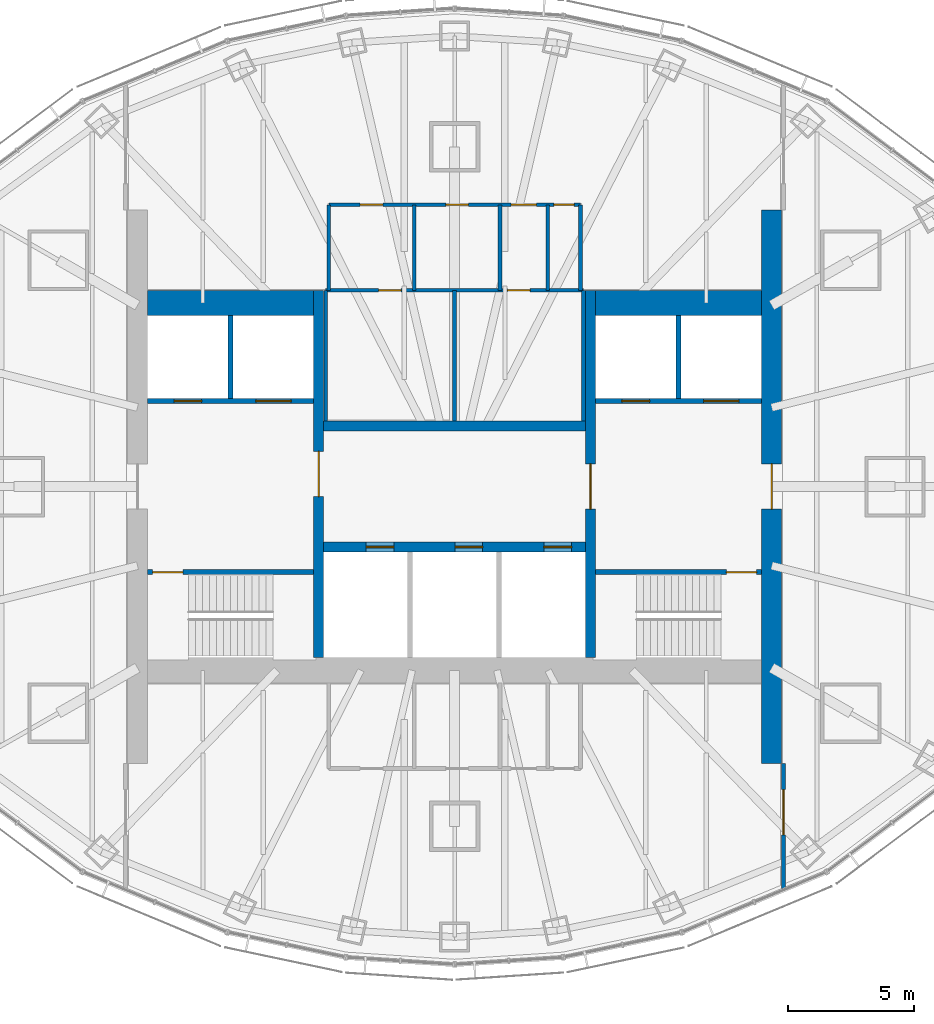
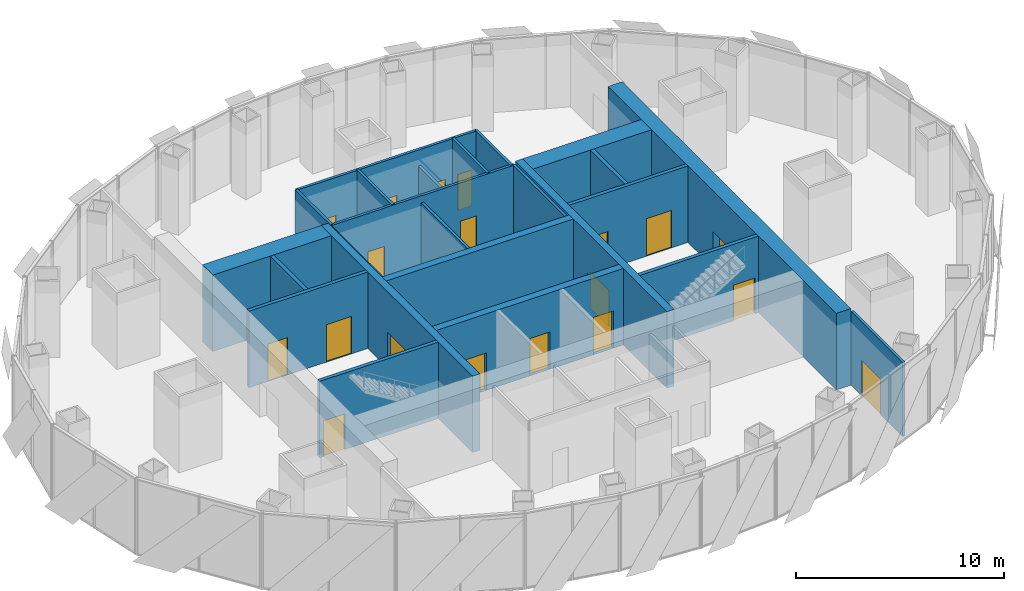
# One storey, part 11 of 15: 24 walls, 19 doors, 19 openings.
"""IFC4 building model written with IfcOpenShell, lengths in metres."""

from ifc_helpers import new_model, si_unit, direction, frame, frame_2d, origin, place, context, subcontext, project, spatial, rectangle, extrude, material, layer, layer_set, type_object, element, fill, save


model = new_model("IFC4")

# Units and contexts
model_context = context("Model", 3, precision=1e-05, world=origin(), true_north=direction((0.0, 1.0)))
body_context = subcontext(model_context, "Body", "Model", "MODEL_VIEW")
ifc_project = project(units=[si_unit("LENGTHUNIT", "METRE"), si_unit("AREAUNIT", "SQUARE_METRE"), si_unit("VOLUMEUNIT", "CUBIC_METRE"), si_unit("PLANEANGLEUNIT", "RADIAN"), si_unit("MASSUNIT", "GRAM", prefix="KILO")], contexts=[model_context])

# Site, building, storey
site_placement = place(None, origin())
site = spatial("IfcSite", under=ifc_project, at=site_placement, CompositionType="ELEMENT")
building_placement = place(site_placement, origin())
building = spatial("IfcBuilding", under=site, at=building_placement, Name="Lantaw Convention Tower", CompositionType="ELEMENT")
storey_placement = place(building_placement, frame((0.0, 0.0, 274.89990234375)))
storey = spatial("IfcBuildingStorey", under=building, at=storey_placement, Name="L64", CompositionType="ELEMENT", Elevation=274.89990234375)

# Wall, openings, doors
ifc_material_1 = material(Name="Gypsum board on steel studs", Category="steel")
ifc_layer_1 = layer(ifc_material_1, 0.14990234375)
ifc_layer_set_1 = layer_set([ifc_layer_1], Name="Back of house wall 150")
wall_type_1 = type_object("IfcWallType", Name="Back of house wall 150", PredefinedType="PARTITIONING", material=ifc_layer_set_1)
wall_1_placement = place(storey_placement, frame((-5.1201171875, 7.800048828125, 0.0), z_axis=(0.0, 0.0, 1.0), x_axis=(1.0, 0.0, 0.0)))
wall_1 = element("IfcWall", 1, at=wall_1_placement, inside=storey, type_object=wall_type_1, Name="Back of house wall 150", PredefinedType="PARTITIONING", context=body_context, shape_type="SweptSolid", body=[
    extrude(rectangle(XDim=10.240234375, YDim=0.14990234375, at=frame_2d((5.1201171875, 0.0))), origin(), (0.0, 0.0, 1.0), 4.35009765625),
])
opening_1_placement = place(wall_1_placement, frame((2.10009765625, 0.0, 0.0)))
opening_1 = element("IfcOpeningElement", 2, at=opening_1_placement, cuts=wall_1, Name="Opening L64.22", PredefinedType="OPENING", context=body_context, shape_type="SweptSolid", body=[
    extrude(rectangle(XDim=0.89990234375, YDim=2.10009765625, at=frame_2d((0.449951171875, 1.050048828125))), frame((0.0, 0.0849609375, 0.0), z_axis=(0.0, -1.0, 0.0), x_axis=(1.0, 0.0, 0.0)), (0.0, 0.0, 1.0), 0.169921875),
])
opening_2_placement = place(wall_1_placement, frame((7.219970703125, 0.0, 0.0)))
opening_2 = element("IfcOpeningElement", 3, at=opening_2_placement, cuts=wall_1, Name="Opening L64.23", PredefinedType="OPENING", context=body_context, shape_type="SweptSolid", body=[
    extrude(rectangle(XDim=0.89990234375, YDim=2.10009765625, at=frame_2d((0.449951171875, 1.050048828125))), frame((0.0, 0.0849609375, 0.0), z_axis=(0.0, -1.0, 0.0), x_axis=(1.0, 0.0, 0.0)), (0.0, 0.0, 1.0), 0.169921875),
])
ifc_material_2 = material(Name="Timber", Category="wood")
door_type_1 = type_object("IfcDoorType", Name="WC door 900", OperationType="SINGLE_SWING_LEFT", PredefinedType="DOOR", material=ifc_material_2)
door_1_placement = place(opening_1_placement, origin())
door_1 = element("IfcDoor", 4, at=door_1_placement, inside=storey, type_object=door_type_1, Name="IT and comms room door", OperationType="SINGLE_SWING_LEFT", OverallHeight=2.10009765625, OverallWidth=0.89990234375, PredefinedType="DOOR", context=body_context, shape_type="SweptSolid", body=[
    extrude(rectangle(XDim=0.89990234375, YDim=2.10009765625, at=frame_2d((0.449951171875, 1.050048828125))), frame((0.0, 0.02490234375, 0.0), z_axis=(0.0, -1.0, 0.0), x_axis=(1.0, 0.0, 0.0)), (0.0, 0.0, 1.0), 0.050048828125),
])
fill(opening_1, door_1)
door_2_placement = place(opening_2_placement, origin())
door_2 = element("IfcDoor", 5, at=door_2_placement, inside=storey, type_object=door_type_1, Name="Tenant store door", OperationType="SINGLE_SWING_LEFT", OverallHeight=2.10009765625, OverallWidth=0.89990234375, PredefinedType="DOOR", context=body_context, shape_type="SweptSolid", body=[
    extrude(rectangle(XDim=0.89990234375, YDim=2.10009765625, at=frame_2d((0.449951171875, 1.050048828125))), frame((0.0, 0.02490234375, 0.0), z_axis=(0.0, -1.0, 0.0), x_axis=(1.0, 0.0, 0.0)), (0.0, 0.0, 1.0), 0.050048828125),
])
fill(opening_2, door_2)

# Walls
for number, where, z_axis, x_axis, name in (
    (6, (-5.1201171875, 2.60009765625, 0.0), (0.0, 0.0, 1.0), (0.0, 1.0, 0.0), "Back of house wall 150"),
    (7, (5.1201171875, 2.60009765625, 0.0), (0.0, 0.0, 1.0), (0.0, 1.0, 0.0), "Back of house wall 150"),
):
    element("IfcWall", number, at=place(storey_placement, frame(where, z_axis=z_axis, x_axis=x_axis)), inside=storey, type_object=wall_type_1, Name=name, PredefinedType="PARTITIONING", context=body_context, shape_type="SweptSolid", body=[
        extrude(rectangle(XDim=5.199951171875, YDim=0.14990234375, at=frame_2d((2.60009765625, 0.0))), origin(), (0.0, 0.0, 1.0), 4.35009765625),
    ])
wall_2_placement = place(storey_placement, frame((0.0, 2.60009765625, 0.0), z_axis=(0.0, 0.0, 1.0), x_axis=(0.0, 1.0, 0.0)))
element("IfcWall", 8, at=wall_2_placement, inside=storey, type_object=wall_type_1, Name="Back of house wall 150", PredefinedType="PARTITIONING", context=body_context, shape_type="SweptSolid", body=[
    extrude(rectangle(XDim=5.199951171875, YDim=0.14990234375, at=frame_2d((2.60009765625, 0.0))), origin(), (0.0, 0.0, 1.0), 3.943603515625),
])

# Wall, opening, door
ifc_material_3 = material(Name="Gypsum board on steel studs, acoustic", Category="steel")
ifc_layer_2 = layer(ifc_material_3, 0.14990234375)
ifc_layer_set_2 = layer_set([ifc_layer_2], Name="Club partition 150")
wall_type_2 = type_object("IfcWallType", Name="Club partition 150", PredefinedType="PARTITIONING", material=ifc_layer_set_2)
wall_3_placement = place(storey_placement, frame((13.074951171875, -11.0, 0.0), z_axis=(0.0, 0.0, 1.0), x_axis=(0.0, -1.0, 0.0)))
wall_3 = element("IfcWall", 9, at=wall_3_placement, inside=storey, type_object=wall_type_2, Name="Club partition 150", PredefinedType="PARTITIONING", context=body_context, shape_type="SweptSolid", body=[
    extrude(rectangle(XDim=4.974365234375, YDim=0.14990234375, at=frame_2d((2.4873046875, 0.0))), origin(), (0.0, 0.0, 1.0), 4.35009765625),
])
opening_3_placement = place(wall_3_placement, frame((1.042724609375, 0.0, 0.0)))
opening_3 = element("IfcOpeningElement", 10, at=opening_3_placement, cuts=wall_3, Name="Opening L64.26", PredefinedType="OPENING", context=body_context, shape_type="SweptSolid", body=[
    extrude(rectangle(XDim=1.800048828125, YDim=2.10009765625, at=frame_2d((0.89990234375, 1.050048828125))), frame((0.0, 0.0849609375, 0.0), z_axis=(0.0, -1.0, 0.0), x_axis=(1.0, 0.0, 0.0)), (0.0, 0.0, 1.0), 0.169921875),
])
door_type_2 = type_object("IfcDoorType", Name="Club double door 1800", OperationType="DOUBLE_DOOR_DOUBLE_SWING", PredefinedType="DOOR", material=ifc_material_2)
door_3_placement = place(opening_3_placement, origin())
door_3 = element("IfcDoor", 11, at=door_3_placement, inside=storey, type_object=door_type_2, Name="Door", OperationType="DOUBLE_DOOR_DOUBLE_SWING", OverallHeight=2.10009765625, OverallWidth=1.800048828125, PredefinedType="DOOR", context=body_context, shape_type="SweptSolid", body=[
    extrude(rectangle(XDim=1.800048828125, YDim=2.10009765625, at=frame_2d((0.89990234375, 1.050048828125))), frame((0.0, 0.02490234375, 0.0), z_axis=(0.0, -1.0, 0.0), x_axis=(1.0, 0.0, 0.0)), (0.0, 0.0, 1.0), 0.050048828125),
])
fill(opening_3, door_3)

# Walls
ifc_material_4 = material(Name="Concrete C60/75", Category="concrete")
ifc_layer_3 = layer(ifc_material_4, 1.0)
ifc_layer_set_3 = layer_set([ifc_layer_3], Name="Core wall 1000")
wall_type_3 = type_object("IfcWallType", Name="Core wall 1000", PredefinedType="SHEAR", material=ifc_layer_set_3)
for number, where, z_axis, x_axis, name in (
    (12, (12.199951171875, 7.300048828125, 0.0), (0.0, 0.0, 1.0), (-1.0, 0.0, 0.0), "Core wall NE"),
    (13, (-5.60009765625, 7.300048828125, 0.0), (0.0, 0.0, 1.0), (-1.0, 0.0, 0.0), "Core wall NW"),
):
    element("IfcWall", number, at=place(storey_placement, frame(where, z_axis=z_axis, x_axis=x_axis)), inside=storey, type_object=wall_type_3, Name=name, PredefinedType="SHEAR", context=body_context, shape_type="SweptSolid", body=[
        extrude(rectangle(XDim=6.599853515625, YDim=1.0, at=frame_2d((3.2998046875, 0.0))), origin(), (0.0, 0.0, 1.0), 4.5),
    ])

# Wall, opening, door
ifc_layer_4 = layer(ifc_material_4, 0.199951171875)
ifc_layer_set_4 = layer_set([ifc_layer_4], Name="Core wall 200")
wall_type_4 = type_object("IfcWallType", Name="Core wall 200", PredefinedType="SHEAR", material=ifc_layer_set_4)
wall_4_placement = place(storey_placement, frame((5.60009765625, -3.39990234375, 0.0), z_axis=(0.0, 0.0, 1.0), x_axis=(1.0, 0.0, 0.0)))
wall_4 = element("IfcWall", 14, at=wall_4_placement, inside=storey, type_object=wall_type_4, Name="Core wall ES", PredefinedType="SHEAR", context=body_context, shape_type="SweptSolid", body=[
    extrude(rectangle(XDim=6.599853515625, YDim=0.199951171875, at=frame_2d((3.2998046875, 0.0))), origin(), (0.0, 0.0, 1.0), 4.5),
])
opening_4_placement = place(wall_4_placement, frame((5.199951171875, 0.0, 0.0)))
opening_4 = element("IfcOpeningElement", 15, at=opening_4_placement, cuts=wall_4, Name="Opening L64.03", PredefinedType="OPENING", context=body_context, shape_type="SweptSolid", body=[
    extrude(rectangle(XDim=1.199951171875, YDim=2.10009765625, at=frame_2d((0.60009765625, 1.050048828125))), frame((0.0, 0.10986328125, 0.0), z_axis=(0.0, -1.0, 0.0), x_axis=(1.0, 0.0, 0.0)), (0.0, 0.0, 1.0), 0.219970703125),
])
ifc_material_5 = material(Name="Steel, fire rated", Category="steel")
door_type_3 = type_object("IfcDoorType", Name="Stair door FD90", OperationType="SINGLE_SWING_RIGHT", PredefinedType="DOOR", material=ifc_material_5)
door_4_placement = place(opening_4_placement, origin())
door_4 = element("IfcDoor", 16, at=door_4_placement, inside=storey, type_object=door_type_3, Name="Exit stair door", OperationType="SINGLE_SWING_RIGHT", OverallHeight=2.10009765625, OverallWidth=1.199951171875, PredefinedType="DOOR", context=body_context, shape_type="SweptSolid", body=[
    extrude(rectangle(XDim=1.199951171875, YDim=2.10009765625, at=frame_2d((0.60009765625, 1.050048828125))), frame((0.0, 0.02490234375, 0.0), z_axis=(0.0, -1.0, 0.0), x_axis=(1.0, 0.0, 0.0)), (0.0, 0.0, 1.0), 0.050048828125),
])
fill(opening_4, door_4)

wall_5_placement = place(storey_placement, frame((-5.60009765625, -3.39990234375, 0.0), z_axis=(0.0, 0.0, 1.0), x_axis=(-1.0, 0.0, 0.0)))
wall_5 = element("IfcWall", 17, at=wall_5_placement, inside=storey, type_object=wall_type_4, Name="Core wall WS", PredefinedType="SHEAR", context=body_context, shape_type="SweptSolid", body=[
    extrude(rectangle(XDim=6.599853515625, YDim=0.199951171875, at=frame_2d((3.2998046875, 0.0))), origin(), (0.0, 0.0, 1.0), 4.5),
])
opening_5_placement = place(wall_5_placement, frame((5.199951171875, 0.0, 0.0)))
opening_5 = element("IfcOpeningElement", 18, at=opening_5_placement, cuts=wall_5, Name="Opening L64.04", PredefinedType="OPENING", context=body_context, shape_type="SweptSolid", body=[
    extrude(rectangle(XDim=1.199951171875, YDim=2.10009765625, at=frame_2d((0.60009765625, 1.050048828125))), frame((0.0, 0.10986328125, 0.0), z_axis=(0.0, -1.0, 0.0), x_axis=(1.0, 0.0, 0.0)), (0.0, 0.0, 1.0), 0.219970703125),
])
door_5_placement = place(opening_5_placement, origin())
door_5 = element("IfcDoor", 19, at=door_5_placement, inside=storey, type_object=door_type_3, Name="Exit stair door", OperationType="SINGLE_SWING_RIGHT", OverallHeight=2.10009765625, OverallWidth=1.199951171875, PredefinedType="DOOR", context=body_context, shape_type="SweptSolid", body=[
    extrude(rectangle(XDim=1.199951171875, YDim=2.10009765625, at=frame_2d((0.60009765625, 1.050048828125))), frame((0.0, 0.02490234375, 0.0), z_axis=(0.0, -1.0, 0.0), x_axis=(1.0, 0.0, 0.0)), (0.0, 0.0, 1.0), 0.050048828125),
])
fill(opening_5, door_5)

ifc_layer_5 = layer(ifc_material_4, 0.39990234375)
ifc_layer_set_5 = layer_set([ifc_layer_5], Name="Core wall 400")
wall_type_5 = type_object("IfcWallType", Name="Core wall 400", PredefinedType="SHEAR", material=ifc_layer_set_5)
wall_6_placement = place(storey_placement, frame((5.39990234375, -6.800048828125, 0.0), z_axis=(0.0, 0.0, 1.0), x_axis=(0.0, 1.0, 0.0)))
wall_6 = element("IfcWall", 20, at=wall_6_placement, inside=storey, type_object=wall_type_5, Name="Core wall XE", PredefinedType="SHEAR", context=body_context, shape_type="SweptSolid", body=[
    extrude(rectangle(XDim=14.60009765625, YDim=0.39990234375, at=frame_2d((7.300048828125, 0.0))), origin(), (0.0, 0.0, 1.0), 4.5),
])
opening_6_placement = place(wall_6_placement, frame((5.89990234375, 0.0, 0.0)))
opening_6 = element("IfcOpeningElement", 21, at=opening_6_placement, cuts=wall_6, Name="Opening L64.01", PredefinedType="OPENING", context=body_context, shape_type="SweptSolid", body=[
    extrude(rectangle(XDim=1.800048828125, YDim=2.10009765625, at=frame_2d((0.89990234375, 1.050048828125))), frame((0.0, 0.2099609375, 0.0), z_axis=(0.0, -1.0, 0.0), x_axis=(1.0, 0.0, 0.0)), (0.0, 0.0, 1.0), 0.419921875),
])
door_type_4 = type_object("IfcDoorType", Name="Lobby double door FD90", OperationType="DOUBLE_DOOR_DOUBLE_SWING", PredefinedType="DOOR", material=ifc_material_5)
door_6_placement = place(opening_6_placement, origin())
door_6 = element("IfcDoor", 22, at=door_6_placement, inside=storey, type_object=door_type_4, Name="Lift lobby door", OperationType="DOUBLE_DOOR_DOUBLE_SWING", OverallHeight=2.10009765625, OverallWidth=1.800048828125, PredefinedType="DOOR", context=body_context, shape_type="SweptSolid", body=[
    extrude(rectangle(XDim=1.800048828125, YDim=2.10009765625, at=frame_2d((0.89990234375, 1.050048828125))), frame((0.0, 0.02490234375, 0.0), z_axis=(0.0, -1.0, 0.0), x_axis=(1.0, 0.0, 0.0)), (0.0, 0.0, 1.0), 0.050048828125),
])
fill(opening_6, door_6)

wall_7_placement = place(storey_placement, frame((-5.39990234375, 7.800048828125, 0.0), z_axis=(0.0, 0.0, 1.0), x_axis=(0.0, -1.0, 0.0)))
wall_7 = element("IfcWall", 23, at=wall_7_placement, inside=storey, type_object=wall_type_5, Name="Core wall XW", PredefinedType="SHEAR", context=body_context, shape_type="SweptSolid", body=[
    extrude(rectangle(XDim=14.60009765625, YDim=0.39990234375, at=frame_2d((7.300048828125, 0.0))), origin(), (0.0, 0.0, 1.0), 4.5),
])
opening_7_placement = place(wall_7_placement, frame((6.39990234375, 0.0, 0.0)))
opening_7 = element("IfcOpeningElement", 24, at=opening_7_placement, cuts=wall_7, Name="Opening L64.02", PredefinedType="OPENING", context=body_context, shape_type="SweptSolid", body=[
    extrude(rectangle(XDim=1.800048828125, YDim=2.10009765625, at=frame_2d((0.89990234375, 1.050048828125))), frame((0.0, 0.2099609375, 0.0), z_axis=(0.0, -1.0, 0.0), x_axis=(1.0, 0.0, 0.0)), (0.0, 0.0, 1.0), 0.419921875),
])
door_7_placement = place(opening_7_placement, origin())
door_7 = element("IfcDoor", 25, at=door_7_placement, inside=storey, type_object=door_type_4, Name="Lift lobby door", OperationType="DOUBLE_DOOR_DOUBLE_SWING", OverallHeight=2.10009765625, OverallWidth=1.800048828125, PredefinedType="DOOR", context=body_context, shape_type="SweptSolid", body=[
    extrude(rectangle(XDim=1.800048828125, YDim=2.10009765625, at=frame_2d((0.89990234375, 1.050048828125))), frame((0.0, 0.02490234375, 0.0), z_axis=(0.0, -1.0, 0.0), x_axis=(1.0, 0.0, 0.0)), (0.0, 0.0, 1.0), 0.050048828125),
])
fill(opening_7, door_7)

# Wall, openings, doors
wall_8_placement = place(storey_placement, frame((-5.199951171875, -2.39990234375, 0.0), z_axis=(0.0, 0.0, 1.0), x_axis=(1.0, 0.0, 0.0)))
wall_8 = element("IfcWall", 26, at=wall_8_placement, inside=storey, type_object=wall_type_5, Name="Core wall BS", PredefinedType="SHEAR", context=body_context, shape_type="SweptSolid", body=[
    extrude(rectangle(XDim=10.39990234375, YDim=0.39990234375, at=frame_2d((5.199951171875, 0.0))), origin(), (0.0, 0.0, 1.0), 4.5),
])
opening_8_placement = place(wall_8_placement, frame((1.683349609375, 0.0, 0.0)))
opening_8 = element("IfcOpeningElement", 27, at=opening_8_placement, cuts=wall_8, Name="Opening L64.07", PredefinedType="OPENING", context=body_context, shape_type="SweptSolid", body=[
    extrude(rectangle(XDim=1.10009765625, YDim=2.199951171875, at=frame_2d((0.550048828125, 1.10009765625))), frame((0.0, 0.2099609375, 0.0), z_axis=(0.0, -1.0, 0.0), x_axis=(1.0, 0.0, 0.0)), (0.0, 0.0, 1.0), 0.419921875),
])
opening_9_placement = place(wall_8_placement, frame((5.216796875, 0.0, 0.0)))
opening_9 = element("IfcOpeningElement", 28, at=opening_9_placement, cuts=wall_8, Name="Opening L64.08", PredefinedType="OPENING", context=body_context, shape_type="SweptSolid", body=[
    extrude(rectangle(XDim=1.10009765625, YDim=2.199951171875, at=frame_2d((0.550048828125, 1.10009765625))), frame((0.0, 0.2099609375, 0.0), z_axis=(0.0, -1.0, 0.0), x_axis=(1.0, 0.0, 0.0)), (0.0, 0.0, 1.0), 0.419921875),
])
opening_10_placement = place(wall_8_placement, frame((8.75, 0.0, 0.0)))
opening_10 = element("IfcOpeningElement", 29, at=opening_10_placement, cuts=wall_8, Name="Opening L64.09", PredefinedType="OPENING", context=body_context, shape_type="SweptSolid", body=[
    extrude(rectangle(XDim=1.10009765625, YDim=2.199951171875, at=frame_2d((0.550048828125, 1.10009765625))), frame((0.0, 0.2099609375, 0.0), z_axis=(0.0, -1.0, 0.0), x_axis=(1.0, 0.0, 0.0)), (0.0, 0.0, 1.0), 0.419921875),
])
ifc_material_6 = material(Name="Stainless steel", Category="steel")
door_type_5 = type_object("IfcDoorType", Name="Lift landing door 1100", OperationType="DOUBLE_DOOR_SLIDING", PredefinedType="DOOR", material=ifc_material_6)
door_8_placement = place(opening_8_placement, origin())
door_8 = element("IfcDoor", 30, at=door_8_placement, inside=storey, type_object=door_type_5, Name="Lift landing door S1", OperationType="DOUBLE_DOOR_SLIDING", OverallHeight=2.199951171875, OverallWidth=1.10009765625, PredefinedType="DOOR", context=body_context, shape_type="SweptSolid", body=[
    extrude(rectangle(XDim=1.10009765625, YDim=2.199951171875, at=frame_2d((0.550048828125, 1.10009765625))), frame((0.0, 0.02490234375, 0.0), z_axis=(0.0, -1.0, 0.0), x_axis=(1.0, 0.0, 0.0)), (0.0, 0.0, 1.0), 0.050048828125),
])
fill(opening_8, door_8)
door_9_placement = place(opening_9_placement, origin())
door_9 = element("IfcDoor", 31, at=door_9_placement, inside=storey, type_object=door_type_5, Name="Lift landing door S2", OperationType="DOUBLE_DOOR_SLIDING", OverallHeight=2.199951171875, OverallWidth=1.10009765625, PredefinedType="DOOR", context=body_context, shape_type="SweptSolid", body=[
    extrude(rectangle(XDim=1.10009765625, YDim=2.199951171875, at=frame_2d((0.550048828125, 1.10009765625))), frame((0.0, 0.02490234375, 0.0), z_axis=(0.0, -1.0, 0.0), x_axis=(1.0, 0.0, 0.0)), (0.0, 0.0, 1.0), 0.050048828125),
])
fill(opening_9, door_9)
door_10_placement = place(opening_10_placement, origin())
door_10 = element("IfcDoor", 32, at=door_10_placement, inside=storey, type_object=door_type_5, Name="Lift landing door S3", OperationType="DOUBLE_DOOR_SLIDING", OverallHeight=2.199951171875, OverallWidth=1.10009765625, PredefinedType="DOOR", context=body_context, shape_type="SweptSolid", body=[
    extrude(rectangle(XDim=1.10009765625, YDim=2.199951171875, at=frame_2d((0.550048828125, 1.10009765625))), frame((0.0, 0.02490234375, 0.0), z_axis=(0.0, -1.0, 0.0), x_axis=(1.0, 0.0, 0.0)), (0.0, 0.0, 1.0), 0.050048828125),
])
fill(opening_10, door_10)

# Wall
wall_9_placement = place(storey_placement, frame((5.199951171875, 2.39990234375, 0.0), z_axis=(0.0, 0.0, 1.0), x_axis=(-1.0, 0.0, 0.0)))
element("IfcWall", 33, at=wall_9_placement, inside=storey, type_object=wall_type_5, Name="Core wall BN", PredefinedType="SHEAR", context=body_context, shape_type="SweptSolid", body=[
    extrude(rectangle(XDim=10.39990234375, YDim=0.39990234375, at=frame_2d((5.199951171875, 0.0))), origin(), (0.0, 0.0, 1.0), 4.5),
])

# Wall, opening, door
ifc_layer_6 = layer(ifc_material_4, 0.800048828125)
ifc_layer_set_6 = layer_set([ifc_layer_6], Name="Core wall 800")
wall_type_6 = type_object("IfcWallType", Name="Core wall 800", PredefinedType="SHEAR", material=ifc_layer_set_6)
wall_10_placement = place(storey_placement, frame((12.60009765625, -11.0, 0.0), z_axis=(0.0, 0.0, 1.0), x_axis=(0.0, 1.0, 0.0)))
wall_10 = element("IfcWall", 34, at=wall_10_placement, inside=storey, type_object=wall_type_6, Name="Core wall E", PredefinedType="SHEAR", context=body_context, shape_type="SweptSolid", body=[
    extrude(rectangle(XDim=22.0, YDim=0.800048828125, at=frame_2d((11.0, 0.0))), origin(), (0.0, 0.0, 1.0), 4.5),
])
opening_11_placement = place(wall_10_placement, frame((10.10009765625, 0.0, 0.0)))
opening_11 = element("IfcOpeningElement", 35, at=opening_11_placement, cuts=wall_10, Name="Opening L64.05", PredefinedType="OPENING", context=body_context, shape_type="SweptSolid", body=[
    extrude(rectangle(XDim=1.800048828125, YDim=2.10009765625, at=frame_2d((0.89990234375, 1.050048828125))), frame((0.0, 0.409912109375, 0.0), z_axis=(0.0, -1.0, 0.0), x_axis=(1.0, 0.0, 0.0)), (0.0, 0.0, 1.0), 0.820068359375),
])
door_11_placement = place(opening_11_placement, origin())
door_11 = element("IfcDoor", 36, at=door_11_placement, inside=storey, type_object=door_type_4, Name="Firefighting lobby door", OperationType="DOUBLE_DOOR_DOUBLE_SWING", OverallHeight=2.10009765625, OverallWidth=1.800048828125, PredefinedType="DOOR", context=body_context, shape_type="SweptSolid", body=[
    extrude(rectangle(XDim=1.800048828125, YDim=2.10009765625, at=frame_2d((0.89990234375, 1.050048828125))), frame((0.0, 0.02490234375, 0.0), z_axis=(0.0, -1.0, 0.0), x_axis=(1.0, 0.0, 0.0)), (0.0, 0.0, 1.0), 0.050048828125),
])
fill(opening_11, door_11)

# Wall, openings, doors
ifc_material_7 = material(Name="Concrete blockwork, fire rated", Category="masonry")
ifc_layer_7 = layer(ifc_material_7, 0.199951171875)
ifc_layer_set_7 = layer_set([ifc_layer_7], Name="Shaft wall 200")
wall_type_7 = type_object("IfcWallType", Name="Shaft wall 200", PredefinedType="SOLIDWALL", material=ifc_layer_set_7)
wall_11_placement = place(storey_placement, frame((12.199951171875, 3.39990234375, 0.0), z_axis=(0.0, 0.0, 1.0), x_axis=(-1.0, 0.0, 0.0)))
wall_11 = element("IfcWall", 37, at=wall_11_placement, inside=storey, type_object=wall_type_7, Name="Shaft wall EN", PredefinedType="SOLIDWALL", context=body_context, shape_type="SweptSolid", body=[
    extrude(rectangle(XDim=6.599853515625, YDim=0.199951171875, at=frame_2d((3.2998046875, 0.0))), origin(), (0.0, 0.0, 1.0), 4.5),
])
opening_12_placement = place(wall_11_placement, frame((4.449951171875, 0.0, 0.0)))
opening_12 = element("IfcOpeningElement", 38, at=opening_12_placement, cuts=wall_11, Name="Opening L64.12", PredefinedType="OPENING", context=body_context, shape_type="SweptSolid", body=[
    extrude(rectangle(XDim=1.10009765625, YDim=2.199951171875, at=frame_2d((0.550048828125, 1.10009765625))), frame((0.0, 0.10986328125, 0.0), z_axis=(0.0, -1.0, 0.0), x_axis=(1.0, 0.0, 0.0)), (0.0, 0.0, 1.0), 0.219970703125),
])
opening_13_placement = place(wall_11_placement, frame((0.89990234375, 0.0, 0.0)))
opening_13 = element("IfcOpeningElement", 39, at=opening_13_placement, cuts=wall_11, Name="Opening L64.13", PredefinedType="OPENING", context=body_context, shape_type="SweptSolid", body=[
    extrude(rectangle(XDim=1.39990234375, YDim=2.199951171875, at=frame_2d((0.699951171875, 1.10009765625))), frame((0.0, 0.10986328125, 0.0), z_axis=(0.0, -1.0, 0.0), x_axis=(1.0, 0.0, 0.0)), (0.0, 0.0, 1.0), 0.219970703125),
])
door_12_placement = place(opening_12_placement, origin())
door_12 = element("IfcDoor", 40, at=door_12_placement, inside=storey, type_object=door_type_5, Name="Lift landing door FF2", OperationType="DOUBLE_DOOR_SLIDING", OverallHeight=2.199951171875, OverallWidth=1.10009765625, PredefinedType="DOOR", context=body_context, shape_type="SweptSolid", body=[
    extrude(rectangle(XDim=1.10009765625, YDim=2.199951171875, at=frame_2d((0.550048828125, 1.10009765625))), frame((0.0, 0.02490234375, 0.0), z_axis=(0.0, -1.0, 0.0), x_axis=(1.0, 0.0, 0.0)), (0.0, 0.0, 1.0), 0.050048828125),
])
fill(opening_12, door_12)
door_type_6 = type_object("IfcDoorType", Name="Lift landing door 1400", OperationType="DOUBLE_DOOR_SLIDING", PredefinedType="DOOR", material=ifc_material_6)
door_13_placement = place(opening_13_placement, origin())
door_13 = element("IfcDoor", 41, at=door_13_placement, inside=storey, type_object=door_type_6, Name="Lift landing door SV2", OperationType="DOUBLE_DOOR_SLIDING", OverallHeight=2.199951171875, OverallWidth=1.39990234375, PredefinedType="DOOR", context=body_context, shape_type="SweptSolid", body=[
    extrude(rectangle(XDim=1.39990234375, YDim=2.199951171875, at=frame_2d((0.699951171875, 1.10009765625))), frame((0.0, 0.02490234375, 0.0), z_axis=(0.0, -1.0, 0.0), x_axis=(1.0, 0.0, 0.0)), (0.0, 0.0, 1.0), 0.050048828125),
])
fill(opening_13, door_13)

# Wall
wall_12_placement = place(storey_placement, frame((8.89990234375, 3.5, 0.0), z_axis=(0.0, 0.0, 1.0), x_axis=(0.0, 1.0, 0.0)))
element("IfcWall", 42, at=wall_12_placement, inside=storey, type_object=wall_type_7, Name="Shaft wall ED", PredefinedType="SOLIDWALL", context=body_context, shape_type="SweptSolid", body=[
    extrude(rectangle(XDim=3.300048828125, YDim=0.199951171875, at=frame_2d((1.64990234375, 0.0))), origin(), (0.0, 0.0, 1.0), 4.5),
])

# Wall, openings, doors
wall_13_placement = place(storey_placement, frame((-12.199951171875, 3.39990234375, 0.0), z_axis=(0.0, 0.0, 1.0), x_axis=(1.0, 0.0, 0.0)))
wall_13 = element("IfcWall", 43, at=wall_13_placement, inside=storey, type_object=wall_type_7, Name="Shaft wall WN", PredefinedType="SOLIDWALL", context=body_context, shape_type="SweptSolid", body=[
    extrude(rectangle(XDim=6.599853515625, YDim=0.199951171875, at=frame_2d((3.2998046875, 0.0))), origin(), (0.0, 0.0, 1.0), 4.5),
])
opening_14_placement = place(wall_13_placement, frame((1.050048828125, 0.0, 0.0)))
opening_14 = element("IfcOpeningElement", 44, at=opening_14_placement, cuts=wall_13, Name="Opening L64.10", PredefinedType="OPENING", context=body_context, shape_type="SweptSolid", body=[
    extrude(rectangle(XDim=1.10009765625, YDim=2.199951171875, at=frame_2d((0.550048828125, 1.10009765625))), frame((0.0, 0.10986328125, 0.0), z_axis=(0.0, -1.0, 0.0), x_axis=(1.0, 0.0, 0.0)), (0.0, 0.0, 1.0), 0.219970703125),
])
opening_15_placement = place(wall_13_placement, frame((4.300048828125, 0.0, 0.0)))
opening_15 = element("IfcOpeningElement", 45, at=opening_15_placement, cuts=wall_13, Name="Opening L64.11", PredefinedType="OPENING", context=body_context, shape_type="SweptSolid", body=[
    extrude(rectangle(XDim=1.39990234375, YDim=2.199951171875, at=frame_2d((0.699951171875, 1.10009765625))), frame((0.0, 0.10986328125, 0.0), z_axis=(0.0, -1.0, 0.0), x_axis=(1.0, 0.0, 0.0)), (0.0, 0.0, 1.0), 0.219970703125),
])
door_14_placement = place(opening_14_placement, origin())
door_14 = element("IfcDoor", 46, at=door_14_placement, inside=storey, type_object=door_type_5, Name="Lift landing door FF1", OperationType="DOUBLE_DOOR_SLIDING", OverallHeight=2.199951171875, OverallWidth=1.10009765625, PredefinedType="DOOR", context=body_context, shape_type="SweptSolid", body=[
    extrude(rectangle(XDim=1.10009765625, YDim=2.199951171875, at=frame_2d((0.550048828125, 1.10009765625))), frame((0.0, 0.02490234375, 0.0), z_axis=(0.0, -1.0, 0.0), x_axis=(1.0, 0.0, 0.0)), (0.0, 0.0, 1.0), 0.050048828125),
])
fill(opening_14, door_14)
door_15_placement = place(opening_15_placement, origin())
door_15 = element("IfcDoor", 47, at=door_15_placement, inside=storey, type_object=door_type_6, Name="Lift landing door SV1", OperationType="DOUBLE_DOOR_SLIDING", OverallHeight=2.199951171875, OverallWidth=1.39990234375, PredefinedType="DOOR", context=body_context, shape_type="SweptSolid", body=[
    extrude(rectangle(XDim=1.39990234375, YDim=2.199951171875, at=frame_2d((0.699951171875, 1.10009765625))), frame((0.0, 0.02490234375, 0.0), z_axis=(0.0, -1.0, 0.0), x_axis=(1.0, 0.0, 0.0)), (0.0, 0.0, 1.0), 0.050048828125),
])
fill(opening_15, door_15)

# Wall
wall_14_placement = place(storey_placement, frame((-8.89990234375, 3.5, 0.0), z_axis=(0.0, 0.0, 1.0), x_axis=(0.0, 1.0, 0.0)))
element("IfcWall", 48, at=wall_14_placement, inside=storey, type_object=wall_type_7, Name="Shaft wall WD", PredefinedType="SOLIDWALL", context=body_context, shape_type="SweptSolid", body=[
    extrude(rectangle(XDim=3.300048828125, YDim=0.199951171875, at=frame_2d((1.64990234375, 0.0))), origin(), (0.0, 0.0, 1.0), 4.5),
])

# Wall, openings, doors
ifc_material_8 = material(Name="Concrete blockwork", Category="masonry")
ifc_layer_8 = layer(ifc_material_8, 0.14990234375)
ifc_layer_set_8 = layer_set([ifc_layer_8], Name="WC wall 150")
wall_type_8 = type_object("IfcWallType", Name="WC wall 150", PredefinedType="SOLIDWALL", material=ifc_layer_set_8)
wall_15_placement = place(storey_placement, frame((-5.0, 11.199951171875, 0.0), z_axis=(0.0, 0.0, 1.0), x_axis=(1.0, 0.0, 0.0)))
wall_15 = element("IfcWall", 49, at=wall_15_placement, inside=storey, type_object=wall_type_8, Name="WC wall 150", PredefinedType="SOLIDWALL", context=body_context, shape_type="SweptSolid", body=[
    extrude(rectangle(XDim=10.0, YDim=0.14990234375, at=frame_2d((5.0, 0.0))), origin(), (0.0, 0.0, 1.0), 4.35009765625),
])
opening_16_placement = place(wall_15_placement, frame((1.25, 0.0, 0.0)))
opening_16 = element("IfcOpeningElement", 50, at=opening_16_placement, cuts=wall_15, Name="Opening L64.14", PredefinedType="OPENING", context=body_context, shape_type="SweptSolid", body=[
    extrude(rectangle(XDim=0.89990234375, YDim=2.10009765625, at=frame_2d((0.449951171875, 1.050048828125))), frame((0.0, 0.0849609375, 0.0), z_axis=(0.0, -1.0, 0.0), x_axis=(1.0, 0.0, 0.0)), (0.0, 0.0, 1.0), 0.169921875),
])
opening_17_placement = place(wall_15_placement, frame((4.64990234375, 0.0, 0.0)))
opening_17 = element("IfcOpeningElement", 51, at=opening_17_placement, cuts=wall_15, Name="Opening L64.15", PredefinedType="OPENING", context=body_context, shape_type="SweptSolid", body=[
    extrude(rectangle(XDim=0.89990234375, YDim=2.10009765625, at=frame_2d((0.449951171875, 1.050048828125))), frame((0.0, 0.0849609375, 0.0), z_axis=(0.0, -1.0, 0.0), x_axis=(1.0, 0.0, 0.0)), (0.0, 0.0, 1.0), 0.169921875),
])
opening_18_placement = place(wall_15_placement, frame((7.25, 0.0, 0.0)))
opening_18 = element("IfcOpeningElement", 52, at=opening_18_placement, cuts=wall_15, Name="Opening L64.16", PredefinedType="OPENING", context=body_context, shape_type="SweptSolid", body=[
    extrude(rectangle(XDim=1.0, YDim=2.10009765625, at=frame_2d((0.5, 1.050048828125))), frame((0.0, 0.0849609375, 0.0), z_axis=(0.0, -1.0, 0.0), x_axis=(1.0, 0.0, 0.0)), (0.0, 0.0, 1.0), 0.169921875),
])
opening_19_placement = place(wall_15_placement, frame((8.949951171875, 0.0, 0.0)))
opening_19 = element("IfcOpeningElement", 53, at=opening_19_placement, cuts=wall_15, Name="Opening L64.17", PredefinedType="OPENING", context=body_context, shape_type="SweptSolid", body=[
    extrude(rectangle(XDim=0.800048828125, YDim=2.10009765625, at=frame_2d((0.39990234375, 1.050048828125))), frame((0.0, 0.0849609375, 0.0), z_axis=(0.0, -1.0, 0.0), x_axis=(1.0, 0.0, 0.0)), (0.0, 0.0, 1.0), 0.169921875),
])
door_type_7 = type_object("IfcDoorType", Name="Accessible WC door 1000", OperationType="SINGLE_SWING_LEFT", PredefinedType="DOOR", material=ifc_material_2)
door_16_placement = place(opening_18_placement, origin())
door_16 = element("IfcDoor", 54, at=door_16_placement, inside=storey, type_object=door_type_7, Name="Accessible WC door", OperationType="SINGLE_SWING_LEFT", OverallHeight=2.10009765625, OverallWidth=1.0, PredefinedType="DOOR", context=body_context, shape_type="SweptSolid", body=[
    extrude(rectangle(XDim=1.0, YDim=2.10009765625, at=frame_2d((0.5, 1.050048828125))), frame((0.0, 0.02490234375, 0.0), z_axis=(0.0, -1.0, 0.0), x_axis=(1.0, 0.0, 0.0)), (0.0, 0.0, 1.0), 0.050048828125),
])
fill(opening_18, door_16)
door_type_8 = type_object("IfcDoorType", Name="WC door 800", OperationType="SINGLE_SWING_LEFT", PredefinedType="DOOR", material=ifc_material_2)
door_17_placement = place(opening_19_placement, origin())
door_17 = element("IfcDoor", 55, at=door_17_placement, inside=storey, type_object=door_type_8, Name="Cleaner's store door", OperationType="SINGLE_SWING_LEFT", OverallHeight=2.10009765625, OverallWidth=0.800048828125, PredefinedType="DOOR", context=body_context, shape_type="SweptSolid", body=[
    extrude(rectangle(XDim=0.800048828125, YDim=2.10009765625, at=frame_2d((0.39990234375, 1.050048828125))), frame((0.0, 0.02490234375, 0.0), z_axis=(0.0, -1.0, 0.0), x_axis=(1.0, 0.0, 0.0)), (0.0, 0.0, 1.0), 0.050048828125),
])
fill(opening_19, door_17)
door_18_placement = place(opening_16_placement, origin())
door_18 = element("IfcDoor", 56, at=door_18_placement, inside=storey, type_object=door_type_1, Name="Female WC door", OperationType="SINGLE_SWING_LEFT", OverallHeight=2.10009765625, OverallWidth=0.89990234375, PredefinedType="DOOR", context=body_context, shape_type="SweptSolid", body=[
    extrude(rectangle(XDim=0.89990234375, YDim=2.10009765625, at=frame_2d((0.449951171875, 1.050048828125))), frame((0.0, 0.02490234375, 0.0), z_axis=(0.0, -1.0, 0.0), x_axis=(1.0, 0.0, 0.0)), (0.0, 0.0, 1.0), 0.050048828125),
])
fill(opening_16, door_18)
door_19_placement = place(opening_17_placement, origin())
door_19 = element("IfcDoor", 57, at=door_19_placement, inside=storey, type_object=door_type_1, Name="Male WC door", OperationType="SINGLE_SWING_LEFT", OverallHeight=2.10009765625, OverallWidth=0.89990234375, PredefinedType="DOOR", context=body_context, shape_type="SweptSolid", body=[
    extrude(rectangle(XDim=0.89990234375, YDim=2.10009765625, at=frame_2d((0.449951171875, 1.050048828125))), frame((0.0, 0.02490234375, 0.0), z_axis=(0.0, -1.0, 0.0), x_axis=(1.0, 0.0, 0.0)), (0.0, 0.0, 1.0), 0.050048828125),
])
fill(opening_17, door_19)

# Walls
for number, where, z_axis, x_axis, name in (
    (58, (-5.0, 7.800048828125, 0.0), (0.0, 0.0, 1.0), (0.0, 1.0, 0.0), "WC wall 150"),
    (59, (5.0, 7.800048828125, 0.0), (0.0, 0.0, 1.0), (0.0, 1.0, 0.0), "WC wall 150"),
    (60, (-1.60009765625, 7.800048828125, 0.0), (0.0, 0.0, 1.0), (0.0, 1.0, 0.0), "WC wall 150"),
):
    element("IfcWall", number, at=place(storey_placement, frame(where, z_axis=z_axis, x_axis=x_axis)), inside=storey, type_object=wall_type_8, Name=name, PredefinedType="SOLIDWALL", context=body_context, shape_type="SweptSolid", body=[
        extrude(rectangle(XDim=3.39990234375, YDim=0.14990234375, at=frame_2d((1.699951171875, 0.0))), origin(), (0.0, 0.0, 1.0), 4.35009765625),
    ])
wall_16_placement = place(storey_placement, frame((1.800048828125, 7.800048828125, 0.0), z_axis=(0.0, 0.0, 1.0), x_axis=(0.0, 1.0, 0.0)))
element("IfcWall", 61, at=wall_16_placement, inside=storey, type_object=wall_type_8, Name="WC wall 150", PredefinedType="SOLIDWALL", context=body_context, shape_type="SweptSolid", body=[
    extrude(rectangle(XDim=3.39990234375, YDim=0.14990234375, at=frame_2d((1.699951171875, 0.0))), origin(), (0.0, 0.0, 1.0), 3.40771484375),
])
wall_17_placement = place(storey_placement, frame((3.699951171875, 7.800048828125, 0.0), z_axis=(0.0, 0.0, 1.0), x_axis=(0.0, 1.0, 0.0)))
element("IfcWall", 62, at=wall_17_placement, inside=storey, type_object=wall_type_8, Name="WC wall 150", PredefinedType="SOLIDWALL", context=body_context, shape_type="SweptSolid", body=[
    extrude(rectangle(XDim=3.39990234375, YDim=0.14990234375, at=frame_2d((1.699951171875, 0.0))), origin(), (0.0, 0.0, 1.0), 4.35009765625),
])

save(model, "model.ifc")
